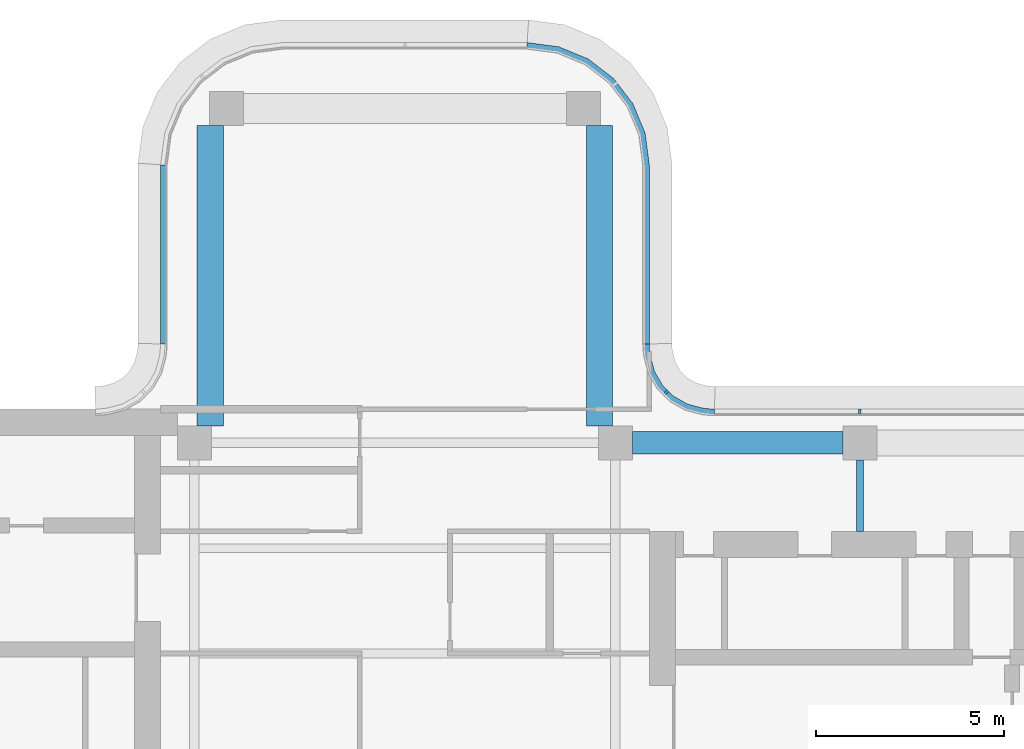
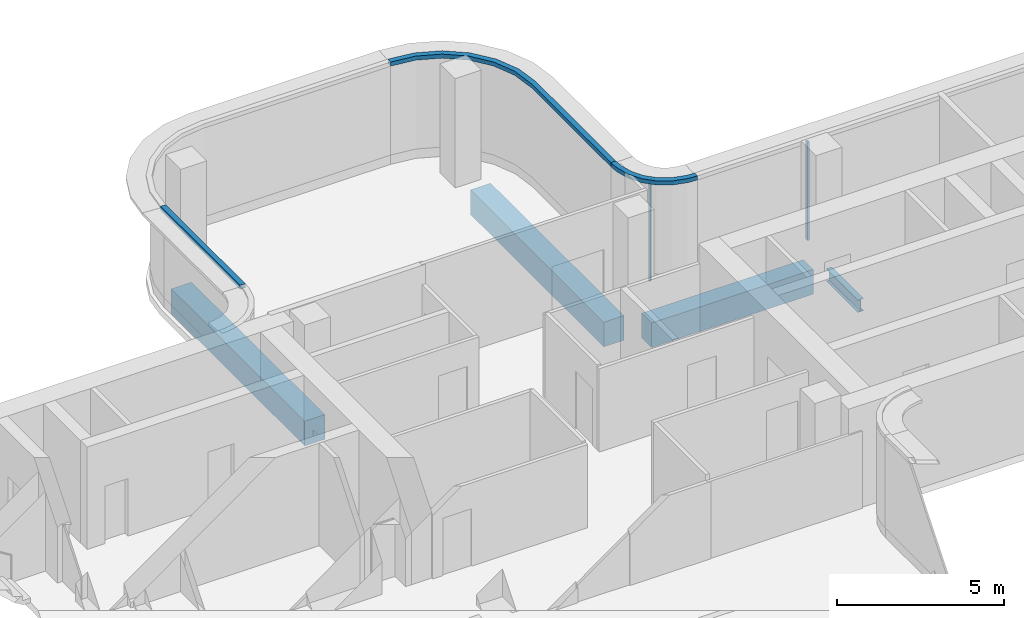
# One storey, part 4 of 11: 5 members, 4 beams, 4 elements without a shape of their own.
"""IFC4 building model written with IfcOpenShell, lengths in metres."""

from ifc_helpers import new_model, si_unit, direction, frame, origin, origin_2d, place, context, subcontext, project, spatial, polyline, rectangle, i_section, outline, extrude, source, transform, mapped, material, layer, layer_set, material_profile, profile_set, type_object, element, aggregate, save


model = new_model("IFC4")

# Units and contexts
model_context = context("Model", 3, precision=1e-05, world=origin(), true_north=direction((0.0, 1.0)))
body_context = subcontext(model_context, "Body", "Model", "MODEL_VIEW")
ifc_project = project(units=[si_unit("LENGTHUNIT", "METRE"), si_unit("AREAUNIT", "SQUARE_METRE"), si_unit("VOLUMEUNIT", "CUBIC_METRE"), si_unit("PLANEANGLEUNIT", "RADIAN"), si_unit("MASSUNIT", "GRAM", prefix="KILO")], contexts=[model_context])

# Site, building, storey
site_placement = place(None, origin())
site = spatial("IfcSite", under=ifc_project, at=site_placement, CompositionType="ELEMENT")
building_placement = place(site_placement, origin())
building = spatial("IfcBuilding", under=site, at=building_placement, Name="Trellis Farm Tower", CompositionType="ELEMENT")
storey_placement = place(building_placement, frame((0.0, 0.0, 342.10009765625)))
storey = spatial("IfcBuildingStorey", under=building, at=storey_placement, Name="L77", CompositionType="ELEMENT", Elevation=342.10009765625)

# Beams
ifc_material_1 = material(Name="Concrete C60/75", Category="concrete")
ifc_material_profile_1 = material_profile(ifc_material_1, rectangle(XDim=0.60009765625, YDim=0.89990234375, at=origin_2d()), Name="RC spandrel beam 600x900 C60/75")
ifc_profile_set_1 = profile_set([ifc_material_profile_1], Name="Concrete C60/75")
beam_type_1 = type_object("IfcBeamType", Name="RC spandrel beam 600x900 C60/75", PredefinedType="SPANDREL", material=ifc_profile_set_1)
shared_shape_1 = source(origin(), body_context, "Body", "SweptSolid", [
    extrude(rectangle(XDim=0.60009765625, YDim=0.89990234375, at=origin_2d()), origin(), (0.0, 0.0, 1.0), 5.599853515625),
])
beam_1_placement = place(storey_placement, frame((6.050048828125, 5.60009765625, -0.7001953125), z_axis=(1.0, 0.0, 0.0), x_axis=(0.0, 1.0, 0.0)))
element("IfcBeam", 1, at=beam_1_placement, inside=storey, type_object=beam_type_1, Name="Girder", PredefinedType="SPANDREL", context=body_context, shape_type="MappedRepresentation", body=[
    mapped(shared_shape_1, transform((0.0, 0.0, 0.0))),
])
ifc_material_2 = material(Name="Steel S355", Category="steel")
ifc_material_profile_2 = material_profile(ifc_material_2, i_section(OverallWidth=0.1904296875, OverallDepth=0.45703125, WebThickness=0.009033203125, FlangeThickness=0.014404296875, FilletRadius=0.01025390625, at=origin_2d()), Name="UB 457x191x74")
ifc_profile_set_2 = profile_set([ifc_material_profile_2], Name="Steel S355")
beam_type_2 = type_object("IfcBeamType", Name="UB 457x191x74", PredefinedType="BEAM", material=ifc_profile_set_2)
shared_shape_2 = source(origin(), body_context, "Body", "SweptSolid", [
    extrude(i_section(OverallWidth=0.1904296875, OverallDepth=0.45703125, WebThickness=0.009033203125, FlangeThickness=0.014404296875, FilletRadius=0.01025390625, at=origin_2d()), origin(), (0.0, 0.0, 1.0), 1.89990234375),
])
beam_2_placement = place(storey_placement, frame((12.10009765625, 3.25, -0.478515625), z_axis=(0.0, 1.0, 0.0), x_axis=(-1.0, 0.0, 0.0)))
element("IfcBeam", 2, at=beam_2_placement, inside=storey, type_object=beam_type_2, Name="Girder", PredefinedType="BEAM", context=body_context, shape_type="MappedRepresentation", body=[
    mapped(shared_shape_2, transform((0.0, 0.0, 0.0))),
])
ifc_material_profile_3 = material_profile(ifc_material_1, rectangle(XDim=0.699951171875, YDim=0.89990234375, at=origin_2d()), Name="RC spandrel beam 700x900 C60/75")
ifc_profile_set_3 = profile_set([ifc_material_profile_3], Name="Concrete C60/75")
beam_type_3 = type_object("IfcBeamType", Name="RC spandrel beam 700x900 C60/75", PredefinedType="SPANDREL", material=ifc_profile_set_3)
shared_shape_3 = source(origin(), body_context, "Body", "SweptSolid", [
    extrude(rectangle(XDim=0.699951171875, YDim=0.89990234375, at=origin_2d()), origin(), (0.0, 0.0, 1.0), 8.0),
])
for number, where, z_axis, x_axis, name in (
    (3, (-5.175048828125, 6.050048828125, -0.7001953125), (0.0, 1.0, 0.0), (-1.0, 0.0, 0.0), "Girder"),
    (4, (5.175048828125, 6.050048828125, -0.7001953125), (0.0, 1.0, 0.0), (-1.0, 0.0, 0.0), "Girder"),
):
    element("IfcBeam", number, at=place(storey_placement, frame(where, z_axis=z_axis, x_axis=x_axis)), inside=storey, type_object=beam_type_3, Name=name, PredefinedType="SPANDREL", context=body_context, shape_type="MappedRepresentation", body=[
        mapped(shared_shape_3, transform((0.0, 0.0, 0.0))),
    ])

# Curtain wall, member
ifc_material_3 = material(Name="Aluminium and glass curtain wall", Category="aluminium")
ifc_layer_1 = layer(ifc_material_3, 0.176025390625)
ifc_layer_set_1 = layer_set([ifc_layer_1], Name="CROWN LANTERN CURTAIN WALL CW5")
curtain_wall_type = type_object("IfcCurtainWallType", Name="CROWN LANTERN CURTAIN WALL CW5", PredefinedType="NOTDEFINED", material=ifc_layer_set_1)
placement_1 = place(storey_placement, origin())
curtain_wall_1 = element("IfcCurtainWall", 5, at=placement_1, inside=storey, type_object=curtain_wall_type, Name="CW5 006", PredefinedType="NOTDEFINED")
ifc_material_4 = material(Name="Aluminium extrusion 6063-T6", Category="aluminium")
ifc_material_profile_4 = material_profile(ifc_material_4, rectangle(XDim=0.06005859375, YDim=0.1201171875, at=origin_2d()), Name="MULLION 60x120")
ifc_profile_set_4 = profile_set([ifc_material_profile_4], Name="Aluminium extrusion 6063-T6")
member_type_1 = type_object("IfcMemberType", Name="CW5 MULLION 60x120", PredefinedType="MULLION", material=ifc_profile_set_4)
shared_shape_4 = source(origin(), body_context, "Body", "SweptSolid", [
    extrude(rectangle(XDim=0.06005859375, YDim=0.1201171875, at=origin_2d()), origin(), (0.0, 0.0, 1.0), 3.599853515625),
])
member_1_placement = place(storey_placement, frame((12.10009765625, 6.43994140625, 0.0), z_axis=(0.0, 0.0, 1.0), x_axis=(-1.0, 0.0, 0.0)))
member_1 = element("IfcMember", 6, at=member_1_placement, type_object=member_type_1, Name="MU5 006-01", PredefinedType="MULLION", context=body_context, shape_type="MappedRepresentation", body=[
    mapped(shared_shape_4, transform((0.0, 0.0, 0.0))),
])
aggregate(curtain_wall_1, [member_1])

# Curtain wall, members
curtain_wall_2 = element("IfcCurtainWall", 7, at=placement_1, inside=storey, type_object=curtain_wall_type, Name="CW5 007", PredefinedType="NOTDEFINED")
member_2_placement = place(storey_placement, frame((6.953125, 6.953125, 0.0), z_axis=(0.0, 0.0, 1.0), x_axis=(-0.707106781187, 0.707106781187, 0.0)))
member_2 = element("IfcMember", 8, at=member_2_placement, type_object=member_type_1, Name="MU5 007-01", PredefinedType="MULLION", context=body_context, shape_type="MappedRepresentation", body=[
    mapped(shared_shape_4, transform((0.0, 0.0, 0.0))),
])
ifc_layer_2 = layer(ifc_material_4, 0.176025390625)
ifc_layer_set_2 = layer_set([ifc_layer_2], Name="Aluminium extrusion 6063-T6")
member_type_2 = type_object("IfcMemberType", Name="CW5 TRANSOM 176x150", PredefinedType="USERDEFINED", material=ifc_layer_set_2)
shared_shape_5 = source(origin(), body_context, "Body", "SweptSolid", [
    extrude(outline(polyline([(8.2314453125, 6.5), (8.01953125, 6.513916015625), (7.91552734375, 6.527587890625), (7.508544921875, 6.63671875), (7.144287109375, 6.846923828125), (6.846923828125, 7.144287109375), (6.63671875, 7.508544921875), (6.527587890625, 7.91552734375), (6.513916015625, 8.01953125), (6.5, 8.2314453125), (6.323974609375, 8.2255859375), (6.338623046875, 8.002197265625), (6.3544921875, 7.881103515625), (6.47265625, 7.440673828125), (6.7060546875, 7.0361328125), (7.0361328125, 6.7060546875), (7.440673828125, 6.47265625), (7.881103515625, 6.3544921875), (8.002197265625, 6.338623046875), (8.2255859375, 6.323974609375), (8.2314453125, 6.5)])), origin(), (0.0, 0.0, 1.0), 0.150146484375),
])
placement_2 = place(storey_placement, frame((0.0, 0.0, 3.599853515625)))
member_3 = element("IfcMember", 9, at=placement_2, type_object=member_type_2, Name="TR5 007", ObjectType="TRANSOM", PredefinedType="USERDEFINED", context=body_context, shape_type="MappedRepresentation", body=[
    mapped(shared_shape_5, transform((0.0, 0.0, 0.0))),
])
aggregate(curtain_wall_2, [member_2, member_3])

# Curtain wall, member
curtain_wall_3 = element("IfcCurtainWall", 10, at=placement_1, inside=storey, type_object=curtain_wall_type, Name="CW5 008", PredefinedType="NOTDEFINED")
shared_shape_6 = source(origin(), body_context, "Body", "SweptSolid", [
    extrude(outline(polyline([(6.5, 8.2314453125), (6.5, 13.0), (6.38916015625, 13.841064453125), (6.064697265625, 14.625), (5.548095703125, 15.298095703125), (4.875, 15.814697265625), (4.091064453125, 16.13916015625), (3.25, 16.25), (3.238525390625, 16.073974609375), (4.045166015625, 15.9677734375), (4.7861328125, 15.660888671875), (5.422607421875, 15.172607421875), (5.910888671875, 14.5361328125), (6.2177734375, 13.795166015625), (6.323974609375, 12.988525390625), (6.323974609375, 8.2255859375), (6.5, 8.2314453125)])), origin(), (0.0, 0.0, 1.0), 0.150146484375),
])
member_4 = element("IfcMember", 11, at=placement_2, type_object=member_type_2, Name="TR5 008", ObjectType="TRANSOM", PredefinedType="USERDEFINED", context=body_context, shape_type="MappedRepresentation", body=[
    mapped(shared_shape_6, transform((0.0, 0.0, 0.0))),
])
aggregate(curtain_wall_3, [member_4])

curtain_wall_4 = element("IfcCurtainWall", 12, at=placement_1, inside=storey, type_object=curtain_wall_type, Name="CW5 010", PredefinedType="NOTDEFINED")
shared_shape_7 = source(origin(), body_context, "Body", "SweptSolid", [
    extrude(outline(polyline([(-6.5, 13.0), (-6.5, 8.2314453125), (-6.323974609375, 8.2255859375), (-6.323974609375, 12.988525390625), (-6.5, 13.0)])), origin(), (0.0, 0.0, 1.0), 0.150146484375),
])
member_5 = element("IfcMember", 13, at=placement_2, type_object=member_type_2, Name="TR5 010", ObjectType="TRANSOM", PredefinedType="USERDEFINED", context=body_context, shape_type="MappedRepresentation", body=[
    mapped(shared_shape_7, transform((0.0, 0.0, 0.0))),
])
aggregate(curtain_wall_4, [member_5])

save(model, "model.ifc")
